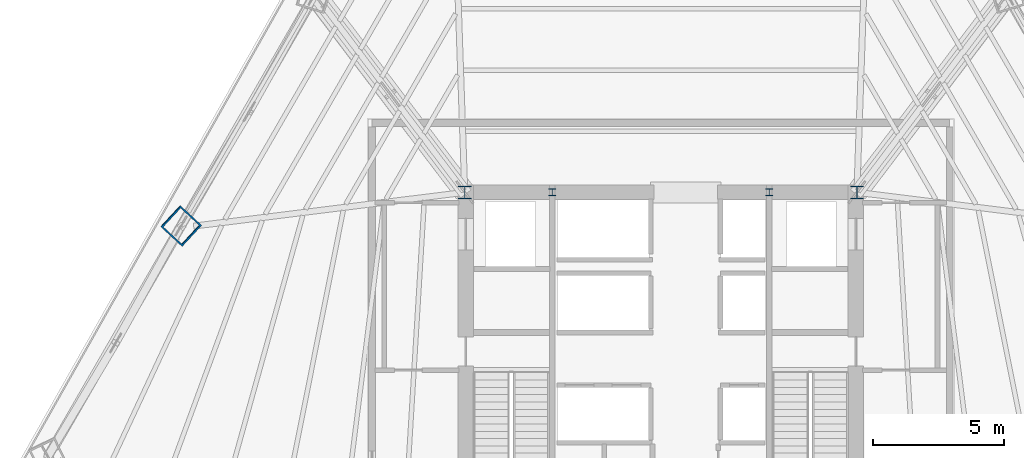
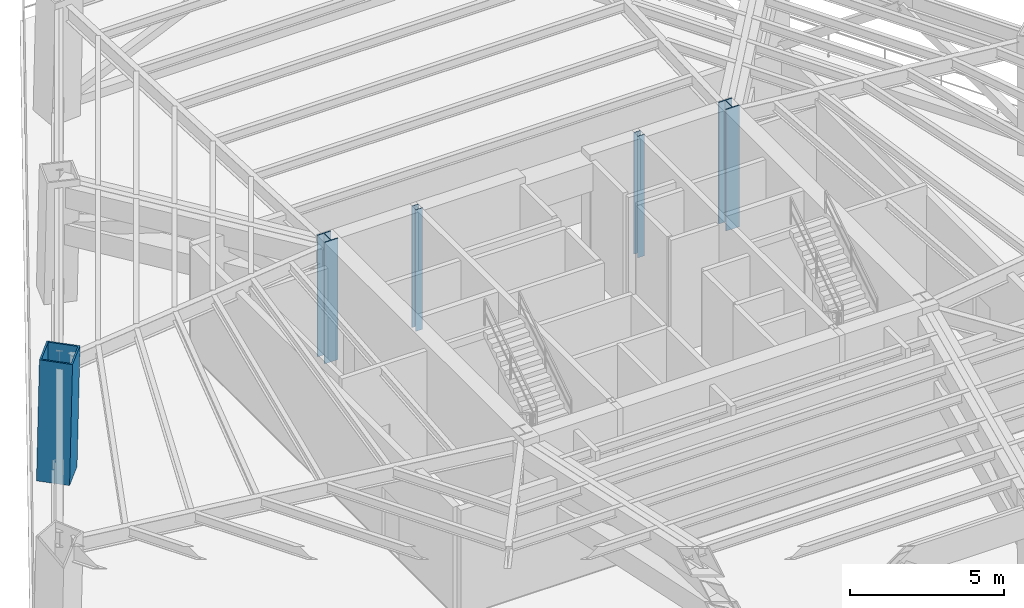
# One storey, part 2 of 13: 5 columns.
"""IFC4 building model written with IfcOpenShell, lengths in metres."""

from ifc_helpers import new_model, si_unit, direction, frame, origin, origin_2d, place, context, subcontext, project, spatial, hollow_rectangle, i_section, extrude, source, transform, mapped, material, material_profile, profile_set, type_object, type_shapes, element, save


model = new_model("IFC4")

# Units and contexts
model_context = context("Model", 3, precision=1e-05, world=origin(), true_north=direction((0.0, 1.0)))
body_context = subcontext(model_context, "Body", "Model", "MODEL_VIEW")
ifc_project = project(units=[si_unit("LENGTHUNIT", "METRE"), si_unit("AREAUNIT", "SQUARE_METRE"), si_unit("VOLUMEUNIT", "CUBIC_METRE"), si_unit("PLANEANGLEUNIT", "RADIAN"), si_unit("MASSUNIT", "GRAM", prefix="KILO")], contexts=[model_context])

# Site, building, storey
site_placement = place(None, origin())
site = spatial("IfcSite", under=ifc_project, at=site_placement, CompositionType="ELEMENT")
building_placement = place(site_placement, origin())
building = spatial("IfcBuilding", under=site, at=building_placement, Name="Caelisora Broadcast Tower", CompositionType="ELEMENT")
storey_placement = place(building_placement, frame((0.0, 0.0, 75.050048828125)))
storey = spatial("IfcBuildingStorey", under=building, at=storey_placement, Name="L19", CompositionType="ELEMENT", Elevation=75.050048828125)

# Columns
ifc_material_1 = material(Name="Steel Grade 350 (AS/NZS 3679.2)", Category="steel")
ifc_material_profile_1 = material_profile(ifc_material_1, i_section(OverallWidth=0.5, OverallDepth=0.5, WebThickness=0.028076171875, FlangeThickness=0.0400390625, at=origin_2d()), Name="Steel Grade 350 (AS/NZS 3679.2)")
ifc_profile_set_1 = profile_set([ifc_material_profile_1], Name="Steel Grade 350 (AS/NZS 3679.2)")
column_type_1 = type_object("IfcColumnType", Name="CC01", PredefinedType="COLUMN", material=ifc_profile_set_1)
shared_shape_1 = source(origin(), body_context, "Body", "SweptSolid", [
    extrude(i_section(OverallWidth=0.5, OverallDepth=0.5, WebThickness=0.028076171875, FlangeThickness=0.0400390625, at=origin_2d()), origin(), (0.0, 0.0, 1.0), 4.800048828125),
])
type_shapes(column_type_1, [shared_shape_1])
for number, where, z_axis, x_axis, name in (
    (1, (45.5, 30.0, 0.0), (0.0, 0.0, 1.0), (1.0, 0.0, 0.0), "L19 column CC01"),
    (2, (30.5, 30.0, 0.0), (0.0, 0.0, 1.0), (1.0, 0.0, 0.0), "L19 column CC01"),
):
    element("IfcColumn", number, at=place(storey_placement, frame(where, z_axis=z_axis, x_axis=x_axis)), inside=storey, type_object=column_type_1, Name=name, PredefinedType="COLUMN", context=body_context, shape_type="MappedRepresentation", body=[
        mapped(shared_shape_1, transform((0.0, 0.0, 0.0), scale=1.0)),
    ])
ifc_material_2 = material(Name="Steel Grade 350 (AS/NZS 3679.1)", Category="steel")
ifc_material_profile_2 = material_profile(ifc_material_2, i_section(OverallWidth=0.256103515625, OverallDepth=0.260009765625, WebThickness=0.010498046875, FlangeThickness=0.017333984375, at=origin_2d()), Name="Steel Grade 350 (AS/NZS 3679.1)")
ifc_profile_set_2 = profile_set([ifc_material_profile_2], Name="Steel Grade 350 (AS/NZS 3679.1)")
column_type_2 = type_object("IfcColumnType", Name="CC05", PredefinedType="COLUMN", material=ifc_profile_set_2)
shared_shape_2 = source(origin(), body_context, "Body", "SweptSolid", [
    extrude(i_section(OverallWidth=0.256103515625, OverallDepth=0.260009765625, WebThickness=0.010498046875, FlangeThickness=0.017333984375, at=origin_2d()), origin(), (0.0, 0.0, 1.0), 4.800048828125),
])
type_shapes(column_type_2, [shared_shape_2])
for number, where, z_axis, x_axis, name in (
    (3, (33.85009765625, 30.0, 0.0), (0.0, 0.0, 1.0), (1.0, 0.0, 0.0), "L19 column CC05"),
    (4, (42.14990234375, 30.0, 0.0), (0.0, 0.0, 1.0), (1.0, 0.0, 0.0), "L19 column CC05"),
):
    element("IfcColumn", number, at=place(storey_placement, frame(where, z_axis=z_axis, x_axis=x_axis)), inside=storey, type_object=column_type_2, Name=name, PredefinedType="COLUMN", context=body_context, shape_type="MappedRepresentation", body=[
        mapped(shared_shape_2, transform((0.0, 0.0, 0.0), scale=1.0)),
    ])
ifc_material_3 = material(Name="Steel Grade 350 L15 (AS/NZS 3678)", Category="steel")
ifc_material_profile_3 = material_profile(ifc_material_3, hollow_rectangle(XDim=1.10009765625, YDim=1.10009765625, WallThickness=0.06005859375, at=origin_2d()), Name="Steel Grade 350 L15 (AS/NZS 3678)")
ifc_profile_set_3 = profile_set([ifc_material_profile_3], Name="Steel Grade 350 L15 (AS/NZS 3678)")
column_type_3 = type_object("IfcColumnType", Name="MC03", PredefinedType="COLUMN", material=ifc_profile_set_3)
shared_shape_3 = source(origin(), body_context, "Body", "SweptSolid", [
    extrude(hollow_rectangle(XDim=1.10009765625, YDim=1.10009765625, WallThickness=0.06005859375, at=origin_2d()), origin(), (0.0, 0.0, 1.0), 4.801025390625),
])
type_shapes(column_type_3, [shared_shape_3])
column_placement = place(storey_placement, frame((19.64111328125, 28.7216796875, 0.0), z_axis=(0.014899529501, -0.013780793498, 0.999794025663), x_axis=(0.679008224545, 0.734130663438, 0.0)))
element("IfcColumn", 5, at=column_placement, inside=storey, type_object=column_type_3, Name="L19 column MC03", PredefinedType="COLUMN", context=body_context, shape_type="MappedRepresentation", body=[
    mapped(shared_shape_3, transform((0.0, 0.0, 0.0), scale=1.0)),
])

save(model, "model.ifc")
